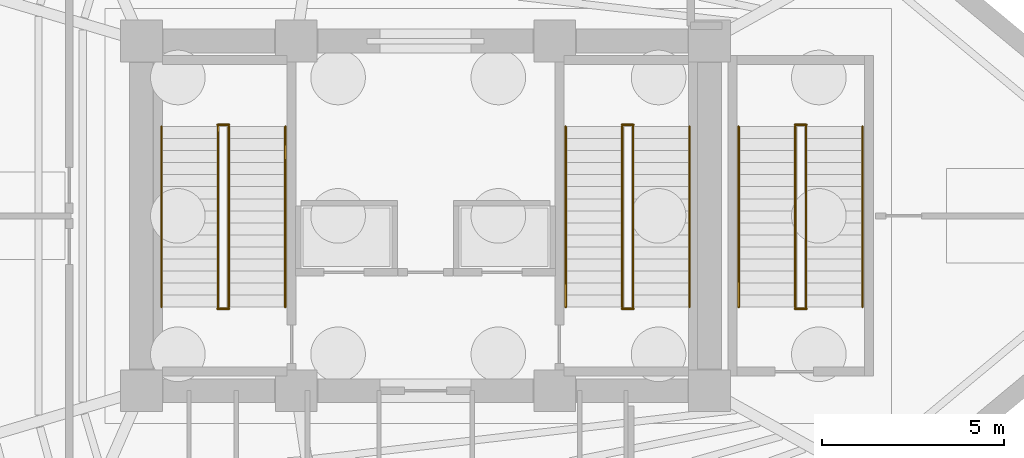
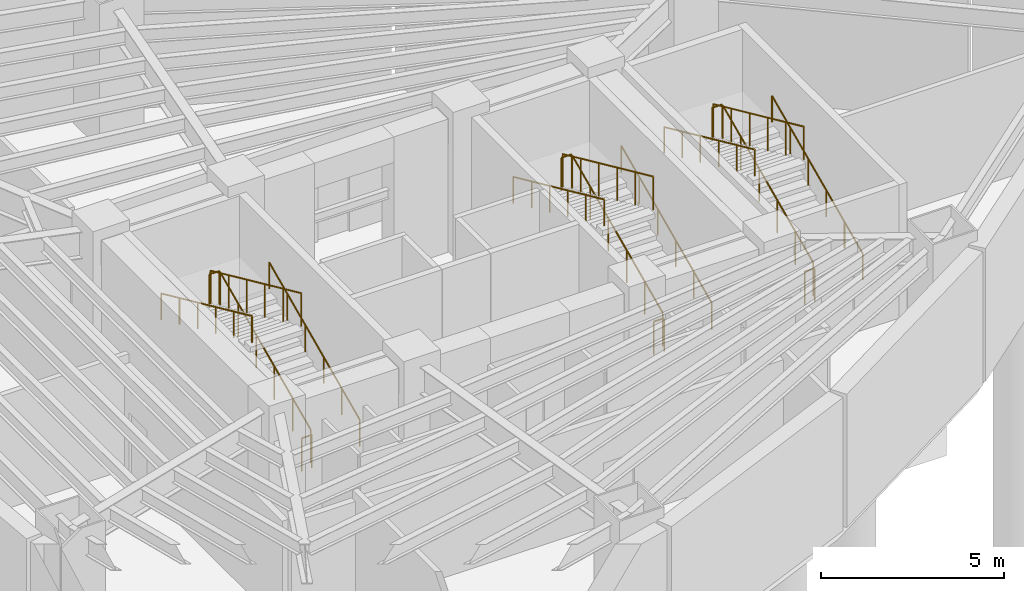
# One storey, part 6 of 7: 18 railings.
"""IFC4 building model written with IfcOpenShell, lengths in metres."""

from ifc_helpers import new_model, si_unit, direction, frame, origin, origin_2d, place, context, subcontext, project, spatial, circle, extrude, material, type_object, element, save


model = new_model("IFC4")

# Units and contexts
model_context = context("Model", 3, precision=1e-05, world=origin(), true_north=direction((0.0, 1.0)))
body_context = subcontext(model_context, "Body", "Model", "MODEL_VIEW")
ifc_project = project(units=[si_unit("LENGTHUNIT", "METRE"), si_unit("AREAUNIT", "SQUARE_METRE"), si_unit("VOLUMEUNIT", "CUBIC_METRE"), si_unit("PLANEANGLEUNIT", "RADIAN"), si_unit("MASSUNIT", "GRAM", prefix="KILO")], contexts=[model_context])

# Site, building, storey
site_placement = place(None, origin())
site = spatial("IfcSite", under=ifc_project, at=site_placement, CompositionType="ELEMENT")
building_placement = place(site_placement, origin())
building = spatial("IfcBuilding", under=site, at=building_placement, Name="Menara Vayukalpa", CompositionType="ELEMENT")
storey_placement = place(building_placement, frame((0.0, 0.0, -9.60009765625)))
storey = spatial("IfcBuildingStorey", under=building, at=storey_placement, Name="B02", CompositionType="ELEMENT", Elevation=-9.60009765625)

# Railings
ifc_material_1 = material(Name="Powder-Coated Galvanised Steel Guardrail", Category="steel")
railing_type_1 = type_object("IfcRailingType", Name="RLG-STG110", PredefinedType="GUARDRAIL", material=ifc_material_1)
railing_1_placement = place(storey_placement, frame((20.199951171875, 19.5, 0.150146484375)))
element("IfcRailing", 1, at=railing_1_placement, inside=storey, type_object=railing_type_1, Name="B02 ST-1 stair guard 1", PredefinedType="GUARDRAIL", context=body_context, shape_type="SweptSolid", body=[
    extrude(circle(Radius=0.02392578125, at=origin_2d()), frame((0.0, 0.0, 1.09619140625), z_axis=(0.0, 0.910364939756, 0.41380632724), x_axis=(-1.0, 0.0, 0.0)), (0.0, 0.0, 1.0), 5.437255859375),
    extrude(circle(Radius=0.02099609375, at=origin_2d()), origin(), (0.0, 0.0, 1.0), 1.072021484375),
    extrude(circle(Radius=0.02099609375, at=origin_2d()), frame((0.0, 0.989990234375, 0.449951171875)), (0.0, 0.0, 1.0), 1.072021484375),
    extrude(circle(Radius=0.02099609375, at=origin_2d()), frame((0.0, 1.97998046875, 0.89990234375)), (0.0, 0.0, 1.0), 1.072021484375),
    extrude(circle(Radius=0.02099609375, at=origin_2d()), frame((0.0, 2.969970703125, 1.35009765625)), (0.0, 0.0, 1.0), 1.072021484375),
    extrude(circle(Radius=0.02099609375, at=origin_2d()), frame((0.0, 3.9599609375, 1.800048828125)), (0.0, 0.0, 1.0), 1.072021484375),
    extrude(circle(Radius=0.02099609375, at=origin_2d()), frame((0.0, 4.949951171875, 2.25)), (0.0, 0.0, 1.0), 1.072021484375),
])
railing_2_placement = place(storey_placement, frame((20.2099609375, 24.5, 2.400146484375)))
element("IfcRailing", 2, at=railing_2_placement, inside=storey, type_object=railing_type_1, Name="B02 ST-1 stair guard 2", PredefinedType="GUARDRAIL", context=body_context, shape_type="SweptSolid", body=[
    extrude(circle(Radius=0.02392578125, at=origin_2d()), frame((0.0, 0.0, 1.09619140625), z_axis=(-1.0, 0.0, 0.0), x_axis=(0.0, -1.0, 0.0)), (0.0, 0.0, 1.0), 0.320068359375),
    extrude(circle(Radius=0.02099609375, at=origin_2d()), origin(), (0.0, 0.0, 1.0), 1.072021484375),
    extrude(circle(Radius=0.02099609375, at=origin_2d()), frame((-0.320068359375, 0.0, 0.0)), (0.0, 0.0, 1.0), 1.072021484375),
])
railing_3_placement = place(storey_placement, frame((19.89990234375, 24.449951171875, 2.550048828125)))
element("IfcRailing", 3, at=railing_3_placement, inside=storey, type_object=railing_type_1, Name="B02 ST-1 stair guard 3", PredefinedType="GUARDRAIL", context=body_context, shape_type="SweptSolid", body=[
    extrude(circle(Radius=0.02392578125, at=origin_2d()), frame((0.0, 0.0, 1.09619140625), z_axis=(0.0, -0.910364939756, 0.41380632724), x_axis=(1.0, 0.0, 0.0)), (0.0, 0.0, 1.0), 5.437255859375),
    extrude(circle(Radius=0.02099609375, at=origin_2d()), origin(), (0.0, 0.0, 1.0), 1.072021484375),
    extrude(circle(Radius=0.02099609375, at=origin_2d()), frame((0.0, -0.989990234375, 0.449951171875)), (0.0, 0.0, 1.0), 1.072021484375),
    extrude(circle(Radius=0.02099609375, at=origin_2d()), frame((0.0, -1.97998046875, 0.89990234375)), (0.0, 0.0, 1.0), 1.072021484375),
    extrude(circle(Radius=0.02099609375, at=origin_2d()), frame((0.0, -2.969970703125, 1.35009765625)), (0.0, 0.0, 1.0), 1.072021484375),
    extrude(circle(Radius=0.02099609375, at=origin_2d()), frame((0.0, -3.9599609375, 1.800048828125)), (0.0, 0.0, 1.0), 1.072021484375),
    extrude(circle(Radius=0.02099609375, at=origin_2d()), frame((0.0, -4.949951171875, 2.25)), (0.0, 0.0, 1.0), 1.072021484375),
])
railing_4_placement = place(storey_placement, frame((20.2099609375, 19.449951171875, 0.0)))
element("IfcRailing", 4, at=railing_4_placement, inside=storey, type_object=railing_type_1, Name="B02 ST-1 stair guard 4", PredefinedType="GUARDRAIL", context=body_context, shape_type="SweptSolid", body=[
    extrude(circle(Radius=0.02392578125, at=origin_2d()), frame((0.0, 0.0, 1.09619140625), z_axis=(-1.0, 0.0, 0.0), x_axis=(0.0, -1.0, 0.0)), (0.0, 0.0, 1.0), 0.320068359375),
    extrude(circle(Radius=0.02099609375, at=origin_2d()), origin(), (0.0, 0.0, 1.0), 1.072021484375),
    extrude(circle(Radius=0.02099609375, at=origin_2d()), frame((-0.320068359375, 0.0, 0.0)), (0.0, 0.0, 1.0), 1.072021484375),
])
railing_5_placement = place(storey_placement, frame((31.300048828125, 19.5, 0.150146484375)))
element("IfcRailing", 5, at=railing_5_placement, inside=storey, type_object=railing_type_1, Name="B02 ST-2 stair guard 1", PredefinedType="GUARDRAIL", context=body_context, shape_type="SweptSolid", body=[
    extrude(circle(Radius=0.02392578125, at=origin_2d()), frame((0.0, 0.0, 1.09619140625), z_axis=(0.0, 0.910364939756, 0.41380632724), x_axis=(-1.0, 0.0, 0.0)), (0.0, 0.0, 1.0), 5.437255859375),
    extrude(circle(Radius=0.02099609375, at=origin_2d()), origin(), (0.0, 0.0, 1.0), 1.072021484375),
    extrude(circle(Radius=0.02099609375, at=origin_2d()), frame((0.0, 0.989990234375, 0.449951171875)), (0.0, 0.0, 1.0), 1.072021484375),
    extrude(circle(Radius=0.02099609375, at=origin_2d()), frame((0.0, 1.97998046875, 0.89990234375)), (0.0, 0.0, 1.0), 1.072021484375),
    extrude(circle(Radius=0.02099609375, at=origin_2d()), frame((0.0, 2.969970703125, 1.35009765625)), (0.0, 0.0, 1.0), 1.072021484375),
    extrude(circle(Radius=0.02099609375, at=origin_2d()), frame((0.0, 3.9599609375, 1.800048828125)), (0.0, 0.0, 1.0), 1.072021484375),
    extrude(circle(Radius=0.02099609375, at=origin_2d()), frame((0.0, 4.949951171875, 2.25)), (0.0, 0.0, 1.0), 1.072021484375),
])
railing_6_placement = place(storey_placement, frame((31.31005859375, 24.5, 2.400146484375)))
element("IfcRailing", 6, at=railing_6_placement, inside=storey, type_object=railing_type_1, Name="B02 ST-2 stair guard 2", PredefinedType="GUARDRAIL", context=body_context, shape_type="SweptSolid", body=[
    extrude(circle(Radius=0.02392578125, at=origin_2d()), frame((0.0, 0.0, 1.09619140625), z_axis=(-1.0, 0.0, 0.0), x_axis=(0.0, -1.0, 0.0)), (0.0, 0.0, 1.0), 0.320068359375),
    extrude(circle(Radius=0.02099609375, at=origin_2d()), origin(), (0.0, 0.0, 1.0), 1.072021484375),
    extrude(circle(Radius=0.02099609375, at=origin_2d()), frame((-0.320068359375, 0.0, 0.0)), (0.0, 0.0, 1.0), 1.072021484375),
])
railing_7_placement = place(storey_placement, frame((31.0, 24.449951171875, 2.550048828125)))
element("IfcRailing", 7, at=railing_7_placement, inside=storey, type_object=railing_type_1, Name="B02 ST-2 stair guard 3", PredefinedType="GUARDRAIL", context=body_context, shape_type="SweptSolid", body=[
    extrude(circle(Radius=0.02392578125, at=origin_2d()), frame((0.0, 0.0, 1.09619140625), z_axis=(0.0, -0.910364939756, 0.41380632724), x_axis=(1.0, 0.0, 0.0)), (0.0, 0.0, 1.0), 5.437255859375),
    extrude(circle(Radius=0.02099609375, at=origin_2d()), origin(), (0.0, 0.0, 1.0), 1.072021484375),
    extrude(circle(Radius=0.02099609375, at=origin_2d()), frame((0.0, -0.989990234375, 0.449951171875)), (0.0, 0.0, 1.0), 1.072021484375),
    extrude(circle(Radius=0.02099609375, at=origin_2d()), frame((0.0, -1.97998046875, 0.89990234375)), (0.0, 0.0, 1.0), 1.072021484375),
    extrude(circle(Radius=0.02099609375, at=origin_2d()), frame((0.0, -2.969970703125, 1.35009765625)), (0.0, 0.0, 1.0), 1.072021484375),
    extrude(circle(Radius=0.02099609375, at=origin_2d()), frame((0.0, -3.9599609375, 1.800048828125)), (0.0, 0.0, 1.0), 1.072021484375),
    extrude(circle(Radius=0.02099609375, at=origin_2d()), frame((0.0, -4.949951171875, 2.25)), (0.0, 0.0, 1.0), 1.072021484375),
])
railing_8_placement = place(storey_placement, frame((31.31005859375, 19.449951171875, 0.0)))
element("IfcRailing", 8, at=railing_8_placement, inside=storey, type_object=railing_type_1, Name="B02 ST-2 stair guard 4", PredefinedType="GUARDRAIL", context=body_context, shape_type="SweptSolid", body=[
    extrude(circle(Radius=0.02392578125, at=origin_2d()), frame((0.0, 0.0, 1.09619140625), z_axis=(-1.0, 0.0, 0.0), x_axis=(0.0, -1.0, 0.0)), (0.0, 0.0, 1.0), 0.320068359375),
    extrude(circle(Radius=0.02099609375, at=origin_2d()), origin(), (0.0, 0.0, 1.0), 1.072021484375),
    extrude(circle(Radius=0.02099609375, at=origin_2d()), frame((-0.320068359375, 0.0, 0.0)), (0.0, 0.0, 1.0), 1.072021484375),
])
railing_9_placement = place(storey_placement, frame((36.050048828125, 19.5, 0.150146484375)))
element("IfcRailing", 9, at=railing_9_placement, inside=storey, type_object=railing_type_1, Name="B02 ST-3 stair guard 1", PredefinedType="GUARDRAIL", context=body_context, shape_type="SweptSolid", body=[
    extrude(circle(Radius=0.02392578125, at=origin_2d()), frame((0.0, 0.0, 1.09619140625), z_axis=(0.0, 0.910364939756, 0.41380632724), x_axis=(-1.0, 0.0, 0.0)), (0.0, 0.0, 1.0), 5.437255859375),
    extrude(circle(Radius=0.02099609375, at=origin_2d()), origin(), (0.0, 0.0, 1.0), 1.072021484375),
    extrude(circle(Radius=0.02099609375, at=origin_2d()), frame((0.0, 0.989990234375, 0.449951171875)), (0.0, 0.0, 1.0), 1.072021484375),
    extrude(circle(Radius=0.02099609375, at=origin_2d()), frame((0.0, 1.97998046875, 0.89990234375)), (0.0, 0.0, 1.0), 1.072021484375),
    extrude(circle(Radius=0.02099609375, at=origin_2d()), frame((0.0, 2.969970703125, 1.35009765625)), (0.0, 0.0, 1.0), 1.072021484375),
    extrude(circle(Radius=0.02099609375, at=origin_2d()), frame((0.0, 3.9599609375, 1.800048828125)), (0.0, 0.0, 1.0), 1.072021484375),
    extrude(circle(Radius=0.02099609375, at=origin_2d()), frame((0.0, 4.949951171875, 2.25)), (0.0, 0.0, 1.0), 1.072021484375),
])
railing_10_placement = place(storey_placement, frame((36.06005859375, 24.5, 2.400146484375)))
element("IfcRailing", 10, at=railing_10_placement, inside=storey, type_object=railing_type_1, Name="B02 ST-3 stair guard 2", PredefinedType="GUARDRAIL", context=body_context, shape_type="SweptSolid", body=[
    extrude(circle(Radius=0.02392578125, at=origin_2d()), frame((0.0, 0.0, 1.09619140625), z_axis=(-1.0, 0.0, 0.0), x_axis=(0.0, -1.0, 0.0)), (0.0, 0.0, 1.0), 0.320068359375),
    extrude(circle(Radius=0.02099609375, at=origin_2d()), origin(), (0.0, 0.0, 1.0), 1.072021484375),
    extrude(circle(Radius=0.02099609375, at=origin_2d()), frame((-0.320068359375, 0.0, 0.0)), (0.0, 0.0, 1.0), 1.072021484375),
])
railing_11_placement = place(storey_placement, frame((35.75, 24.449951171875, 2.550048828125)))
element("IfcRailing", 11, at=railing_11_placement, inside=storey, type_object=railing_type_1, Name="B02 ST-3 stair guard 3", PredefinedType="GUARDRAIL", context=body_context, shape_type="SweptSolid", body=[
    extrude(circle(Radius=0.02392578125, at=origin_2d()), frame((0.0, 0.0, 1.09619140625), z_axis=(0.0, -0.910364939756, 0.41380632724), x_axis=(1.0, 0.0, 0.0)), (0.0, 0.0, 1.0), 5.437255859375),
    extrude(circle(Radius=0.02099609375, at=origin_2d()), origin(), (0.0, 0.0, 1.0), 1.072021484375),
    extrude(circle(Radius=0.02099609375, at=origin_2d()), frame((0.0, -0.989990234375, 0.449951171875)), (0.0, 0.0, 1.0), 1.072021484375),
    extrude(circle(Radius=0.02099609375, at=origin_2d()), frame((0.0, -1.97998046875, 0.89990234375)), (0.0, 0.0, 1.0), 1.072021484375),
    extrude(circle(Radius=0.02099609375, at=origin_2d()), frame((0.0, -2.969970703125, 1.35009765625)), (0.0, 0.0, 1.0), 1.072021484375),
    extrude(circle(Radius=0.02099609375, at=origin_2d()), frame((0.0, -3.9599609375, 1.800048828125)), (0.0, 0.0, 1.0), 1.072021484375),
    extrude(circle(Radius=0.02099609375, at=origin_2d()), frame((0.0, -4.949951171875, 2.25)), (0.0, 0.0, 1.0), 1.072021484375),
])
railing_12_placement = place(storey_placement, frame((36.06005859375, 19.449951171875, 0.0)))
element("IfcRailing", 12, at=railing_12_placement, inside=storey, type_object=railing_type_1, Name="B02 ST-3 stair guard 4", PredefinedType="GUARDRAIL", context=body_context, shape_type="SweptSolid", body=[
    extrude(circle(Radius=0.02392578125, at=origin_2d()), frame((0.0, 0.0, 1.09619140625), z_axis=(-1.0, 0.0, 0.0), x_axis=(0.0, -1.0, 0.0)), (0.0, 0.0, 1.0), 0.320068359375),
    extrude(circle(Radius=0.02099609375, at=origin_2d()), origin(), (0.0, 0.0, 1.0), 1.072021484375),
    extrude(circle(Radius=0.02099609375, at=origin_2d()), frame((-0.320068359375, 0.0, 0.0)), (0.0, 0.0, 1.0), 1.072021484375),
])
ifc_material_2 = material(Name="Stainless Steel 316 Tubular Handrail", Category="steel")
railing_type_2 = type_object("IfcRailingType", Name="RLG-STH090", PredefinedType="HANDRAIL", material=ifc_material_2)
railing_13_placement = place(storey_placement, frame((21.75, 19.5, 0.150146484375)))
element("IfcRailing", 13, at=railing_13_placement, inside=storey, type_object=railing_type_2, Name="B02 ST-1 stair handrail 1", PredefinedType="HANDRAIL", context=body_context, shape_type="SweptSolid", body=[
    extrude(circle(Radius=0.02392578125, at=origin_2d()), frame((0.0, 0.0, 0.8759765625), z_axis=(0.0, 0.910364939756, 0.41380632724), x_axis=(-1.0, 0.0, 0.0)), (0.0, 0.0, 1.0), 5.437255859375),
    extrude(circle(Radius=0.02099609375, at=origin_2d()), origin(), (0.0, 0.0, 1.0), 0.851806640625),
    extrude(circle(Radius=0.02099609375, at=origin_2d()), frame((0.0, 0.989990234375, 0.449951171875)), (0.0, 0.0, 1.0), 0.851806640625),
    extrude(circle(Radius=0.02099609375, at=origin_2d()), frame((0.0, 1.97998046875, 0.89990234375)), (0.0, 0.0, 1.0), 0.851806640625),
    extrude(circle(Radius=0.02099609375, at=origin_2d()), frame((0.0, 2.969970703125, 1.35009765625)), (0.0, 0.0, 1.0), 0.851806640625),
    extrude(circle(Radius=0.02099609375, at=origin_2d()), frame((0.0, 3.9599609375, 1.800048828125)), (0.0, 0.0, 1.0), 0.851806640625),
    extrude(circle(Radius=0.02099609375, at=origin_2d()), frame((0.0, 4.949951171875, 2.25)), (0.0, 0.0, 1.0), 0.851806640625),
])
railing_14_placement = place(storey_placement, frame((18.35009765625, 24.449951171875, 2.550048828125)))
element("IfcRailing", 14, at=railing_14_placement, inside=storey, type_object=railing_type_2, Name="B02 ST-1 stair handrail 2", PredefinedType="HANDRAIL", context=body_context, shape_type="SweptSolid", body=[
    extrude(circle(Radius=0.02392578125, at=origin_2d()), frame((0.0, 0.0, 0.8759765625), z_axis=(0.0, -0.910364939756, 0.41380632724), x_axis=(1.0, 0.0, 0.0)), (0.0, 0.0, 1.0), 5.437255859375),
    extrude(circle(Radius=0.02099609375, at=origin_2d()), origin(), (0.0, 0.0, 1.0), 0.851806640625),
    extrude(circle(Radius=0.02099609375, at=origin_2d()), frame((0.0, -0.989990234375, 0.449951171875)), (0.0, 0.0, 1.0), 0.851806640625),
    extrude(circle(Radius=0.02099609375, at=origin_2d()), frame((0.0, -1.97998046875, 0.89990234375)), (0.0, 0.0, 1.0), 0.851806640625),
    extrude(circle(Radius=0.02099609375, at=origin_2d()), frame((0.0, -2.969970703125, 1.35009765625)), (0.0, 0.0, 1.0), 0.851806640625),
    extrude(circle(Radius=0.02099609375, at=origin_2d()), frame((0.0, -3.9599609375, 1.800048828125)), (0.0, 0.0, 1.0), 0.851806640625),
    extrude(circle(Radius=0.02099609375, at=origin_2d()), frame((0.0, -4.949951171875, 2.25)), (0.0, 0.0, 1.0), 0.851806640625),
])
railing_15_placement = place(storey_placement, frame((32.85009765625, 19.5, 0.150146484375)))
element("IfcRailing", 15, at=railing_15_placement, inside=storey, type_object=railing_type_2, Name="B02 ST-2 stair handrail 1", PredefinedType="HANDRAIL", context=body_context, shape_type="SweptSolid", body=[
    extrude(circle(Radius=0.02392578125, at=origin_2d()), frame((0.0, 0.0, 0.8759765625), z_axis=(0.0, 0.910364939756, 0.41380632724), x_axis=(-1.0, 0.0, 0.0)), (0.0, 0.0, 1.0), 5.437255859375),
    extrude(circle(Radius=0.02099609375, at=origin_2d()), origin(), (0.0, 0.0, 1.0), 0.851806640625),
    extrude(circle(Radius=0.02099609375, at=origin_2d()), frame((0.0, 0.989990234375, 0.449951171875)), (0.0, 0.0, 1.0), 0.851806640625),
    extrude(circle(Radius=0.02099609375, at=origin_2d()), frame((0.0, 1.97998046875, 0.89990234375)), (0.0, 0.0, 1.0), 0.851806640625),
    extrude(circle(Radius=0.02099609375, at=origin_2d()), frame((0.0, 2.969970703125, 1.35009765625)), (0.0, 0.0, 1.0), 0.851806640625),
    extrude(circle(Radius=0.02099609375, at=origin_2d()), frame((0.0, 3.9599609375, 1.800048828125)), (0.0, 0.0, 1.0), 0.851806640625),
    extrude(circle(Radius=0.02099609375, at=origin_2d()), frame((0.0, 4.949951171875, 2.25)), (0.0, 0.0, 1.0), 0.851806640625),
])
railing_16_placement = place(storey_placement, frame((29.449951171875, 24.449951171875, 2.550048828125)))
element("IfcRailing", 16, at=railing_16_placement, inside=storey, type_object=railing_type_2, Name="B02 ST-2 stair handrail 2", PredefinedType="HANDRAIL", context=body_context, shape_type="SweptSolid", body=[
    extrude(circle(Radius=0.02392578125, at=origin_2d()), frame((0.0, 0.0, 0.8759765625), z_axis=(0.0, -0.910364939756, 0.41380632724), x_axis=(1.0, 0.0, 0.0)), (0.0, 0.0, 1.0), 5.437255859375),
    extrude(circle(Radius=0.02099609375, at=origin_2d()), origin(), (0.0, 0.0, 1.0), 0.851806640625),
    extrude(circle(Radius=0.02099609375, at=origin_2d()), frame((0.0, -0.989990234375, 0.449951171875)), (0.0, 0.0, 1.0), 0.851806640625),
    extrude(circle(Radius=0.02099609375, at=origin_2d()), frame((0.0, -1.97998046875, 0.89990234375)), (0.0, 0.0, 1.0), 0.851806640625),
    extrude(circle(Radius=0.02099609375, at=origin_2d()), frame((0.0, -2.969970703125, 1.35009765625)), (0.0, 0.0, 1.0), 0.851806640625),
    extrude(circle(Radius=0.02099609375, at=origin_2d()), frame((0.0, -3.9599609375, 1.800048828125)), (0.0, 0.0, 1.0), 0.851806640625),
    extrude(circle(Radius=0.02099609375, at=origin_2d()), frame((0.0, -4.949951171875, 2.25)), (0.0, 0.0, 1.0), 0.851806640625),
])
railing_17_placement = place(storey_placement, frame((37.60009765625, 19.5, 0.150146484375)))
element("IfcRailing", 17, at=railing_17_placement, inside=storey, type_object=railing_type_2, Name="B02 ST-3 stair handrail 1", PredefinedType="HANDRAIL", context=body_context, shape_type="SweptSolid", body=[
    extrude(circle(Radius=0.02392578125, at=origin_2d()), frame((0.0, 0.0, 0.8759765625), z_axis=(0.0, 0.910364939756, 0.41380632724), x_axis=(-1.0, 0.0, 0.0)), (0.0, 0.0, 1.0), 5.437255859375),
    extrude(circle(Radius=0.02099609375, at=origin_2d()), origin(), (0.0, 0.0, 1.0), 0.851806640625),
    extrude(circle(Radius=0.02099609375, at=origin_2d()), frame((0.0, 0.989990234375, 0.449951171875)), (0.0, 0.0, 1.0), 0.851806640625),
    extrude(circle(Radius=0.02099609375, at=origin_2d()), frame((0.0, 1.97998046875, 0.89990234375)), (0.0, 0.0, 1.0), 0.851806640625),
    extrude(circle(Radius=0.02099609375, at=origin_2d()), frame((0.0, 2.969970703125, 1.35009765625)), (0.0, 0.0, 1.0), 0.851806640625),
    extrude(circle(Radius=0.02099609375, at=origin_2d()), frame((0.0, 3.9599609375, 1.800048828125)), (0.0, 0.0, 1.0), 0.851806640625),
    extrude(circle(Radius=0.02099609375, at=origin_2d()), frame((0.0, 4.949951171875, 2.25)), (0.0, 0.0, 1.0), 0.851806640625),
])
railing_18_placement = place(storey_placement, frame((34.199951171875, 24.449951171875, 2.550048828125)))
element("IfcRailing", 18, at=railing_18_placement, inside=storey, type_object=railing_type_2, Name="B02 ST-3 stair handrail 2", PredefinedType="HANDRAIL", context=body_context, shape_type="SweptSolid", body=[
    extrude(circle(Radius=0.02392578125, at=origin_2d()), frame((0.0, 0.0, 0.8759765625), z_axis=(0.0, -0.910364939756, 0.41380632724), x_axis=(1.0, 0.0, 0.0)), (0.0, 0.0, 1.0), 5.437255859375),
    extrude(circle(Radius=0.02099609375, at=origin_2d()), origin(), (0.0, 0.0, 1.0), 0.851806640625),
    extrude(circle(Radius=0.02099609375, at=origin_2d()), frame((0.0, -0.989990234375, 0.449951171875)), (0.0, 0.0, 1.0), 0.851806640625),
    extrude(circle(Radius=0.02099609375, at=origin_2d()), frame((0.0, -1.97998046875, 0.89990234375)), (0.0, 0.0, 1.0), 0.851806640625),
    extrude(circle(Radius=0.02099609375, at=origin_2d()), frame((0.0, -2.969970703125, 1.35009765625)), (0.0, 0.0, 1.0), 0.851806640625),
    extrude(circle(Radius=0.02099609375, at=origin_2d()), frame((0.0, -3.9599609375, 1.800048828125)), (0.0, 0.0, 1.0), 0.851806640625),
    extrude(circle(Radius=0.02099609375, at=origin_2d()), frame((0.0, -4.949951171875, 2.25)), (0.0, 0.0, 1.0), 0.851806640625),
])

save(model, "model.ifc")
